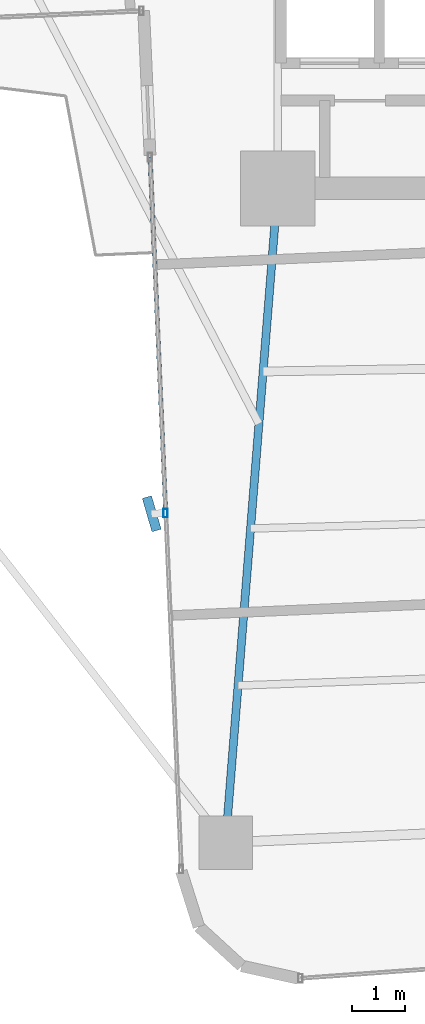
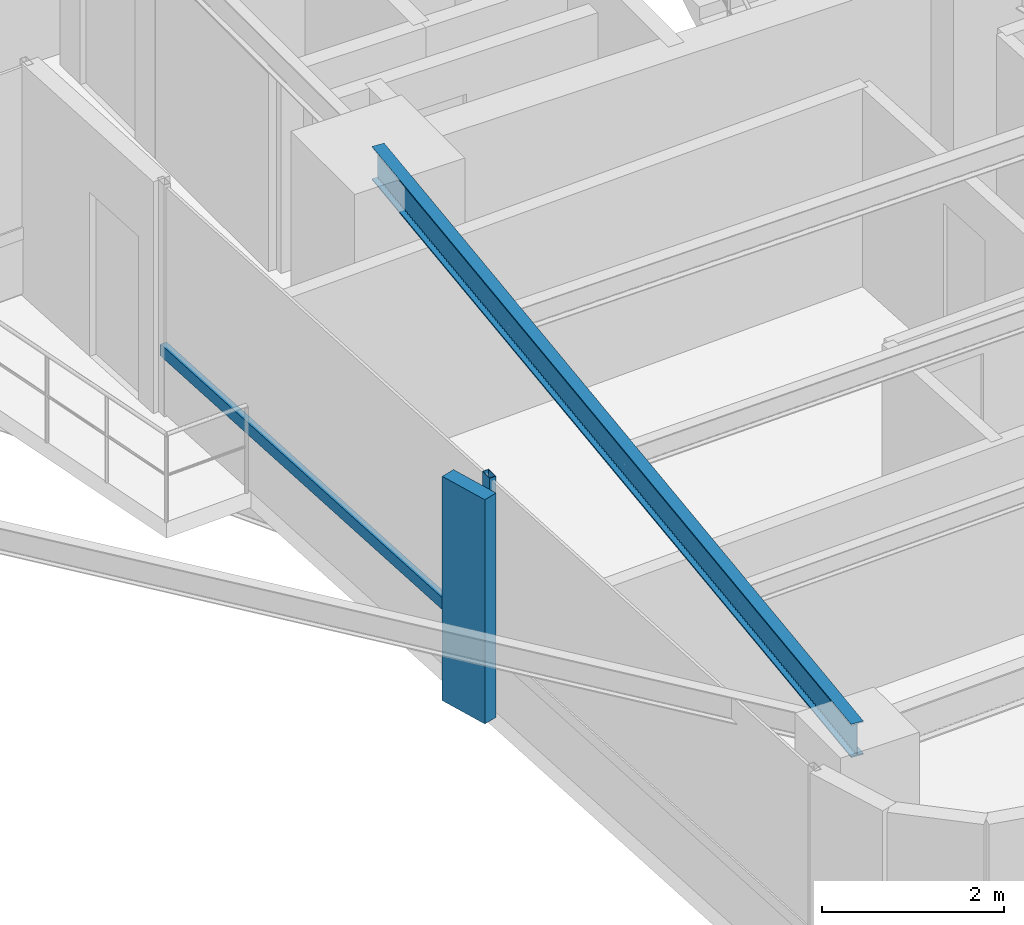
# One storey, part 4 of 26: 3 members, 1 beam, 1 element without a shape of its own.
"""IFC4 building model written with IfcOpenShell, lengths in metres."""

from ifc_helpers import new_model, si_unit, direction, frame, origin, origin_2d, place, context, subcontext, project, spatial, rectangle, hollow_rectangle, i_section, extrude, source, transform, mapped, material, material_profile, profile_set, type_object, element, aggregate, save


model = new_model("IFC4")

# Units and contexts
model_context = context("Model", 3, precision=1e-05, world=origin(), true_north=direction((0.0, 1.0)))
body_context = subcontext(model_context, "Body", "Model", "MODEL_VIEW")
ifc_project = project(units=[si_unit("LENGTHUNIT", "METRE"), si_unit("AREAUNIT", "SQUARE_METRE"), si_unit("VOLUMEUNIT", "CUBIC_METRE"), si_unit("PLANEANGLEUNIT", "RADIAN"), si_unit("MASSUNIT", "GRAM", prefix="KILO")], contexts=[model_context])

# Site, building, storey
site_placement = place(None, origin())
site = spatial("IfcSite", under=ifc_project, at=site_placement, CompositionType="ELEMENT")
building_placement = place(site_placement, origin())
building = spatial("IfcBuilding", under=site, at=building_placement, Name="Sahyath Konkavel Grand Hotel", CompositionType="ELEMENT")
storey_placement = place(building_placement, frame((0.0, 0.0, 96.89990234375)))
storey = spatial("IfcBuildingStorey", under=building, at=storey_placement, Name="L26", CompositionType="ELEMENT", Elevation=96.89990234375)

# Beam
ifc_material_1 = material(Name="Steel E350", Category="steel")
ifc_material_profile_1 = material_profile(ifc_material_1, i_section(OverallWidth=0.14990234375, OverallDepth=0.449951171875, WebThickness=0.009521484375, FlangeThickness=0.017333984375, FilletRadius=0.014892578125, at=origin_2d()), Name="ISMB 450")
ifc_profile_set_1 = profile_set([ifc_material_profile_1], Name="Steel E350")
beam_type = type_object("IfcBeamType", Name="BM-ISMB450", PredefinedType="BEAM", material=ifc_profile_set_1)
shared_shape_1 = source(origin(), body_context, "Body", "SweptSolid", [
    extrude(i_section(OverallWidth=0.14990234375, OverallDepth=0.449951171875, WebThickness=0.009521484375, FlangeThickness=0.017333984375, FilletRadius=0.014892578125, at=origin_2d()), origin(), (0.0, 0.0, 1.0), 12.2685546875),
])
beam_placement = place(storey_placement, frame((-3.800048828125, -10.199951171875, 2.885009765625), z_axis=(-0.079558563357, -0.996830193662, 0.0), x_axis=(0.996830193662, -0.079558563357, 0.0)))
element("IfcBeam", 1, at=beam_placement, inside=storey, type_object=beam_type, Name="L26 Cruciform Radial Girder SA", PredefinedType="BEAM", context=body_context, shape_type="MappedRepresentation", body=[
    mapped(shared_shape_1, transform((0.0, 0.0, 0.0), scale=1.0)),
])

# Curtain wall, members
ifc_material_2 = material(Name="Anodised Bronze Aluminium & Low-E Glazing", Category="aluminium")
curtain_wall_type = type_object("IfcCurtainWallType", Name="CW-ZONE2", PredefinedType="NOTDEFINED", material=ifc_material_2)
curtain_wall_placement = place(storey_placement, origin())
curtain_wall = element("IfcCurtainWall", 2, at=curtain_wall_placement, inside=storey, type_object=curtain_wall_type, Name="L26 Unitised Curtain Wall F24", PredefinedType="NOTDEFINED")
ifc_material_3 = material(Name="Warm Buff Sandstone Cladding on Concrete C50/60", Category="masonry")
ifc_material_profile_2 = material_profile(ifc_material_3, rectangle(XDim=0.179931640625, YDim=0.64990234375, at=origin_2d()), Name="FIN 180x650")
ifc_profile_set_2 = profile_set([ifc_material_profile_2], Name="Warm Buff Sandstone Cladding on Concrete C50/60")
member_type_1 = type_object("IfcMemberType", Name="FIN-SANDSTONE-650", PredefinedType="MULLION", material=ifc_profile_set_2)
shared_shape_2 = source(origin(), body_context, "Body", "SweptSolid", [
    extrude(rectangle(XDim=0.179931640625, YDim=0.64990234375, at=origin_2d()), origin(), (0.0, 0.0, 1.0), 3.010009765625),
])
member_1_placement = place(storey_placement, frame((-6.155517578125, -16.283935546875, 0.050048828125), z_axis=(0.0, 0.0, 1.0), x_axis=(0.960488224179, 0.278320626641, 0.0)))
member_1 = element("IfcMember", 3, at=member_1_placement, type_object=member_type_1, Name="L26 Sandstone Vertical Solar Fin FIN F24-1", PredefinedType="MULLION", context=body_context, shape_type="MappedRepresentation", body=[
    mapped(shared_shape_2, transform((0.0, 0.0, 0.0), scale=1.0)),
])
ifc_material_4 = material(Name="Anodised Bronze Aluminium", Category="aluminium")
ifc_material_profile_3 = material_profile(ifc_material_4, hollow_rectangle(XDim=0.080078125, YDim=0.159912109375, WallThickness=0.006103515625, at=origin_2d()), Name="RHS 160x80x6")
ifc_profile_set_3 = profile_set([ifc_material_profile_3], Name="Anodised Bronze Aluminium")
member_type_2 = type_object("IfcMemberType", Name="CW-MUL-160", PredefinedType="MULLION", material=ifc_profile_set_3)
shared_shape_3 = source(origin(), body_context, "Body", "SweptSolid", [
    extrude(hollow_rectangle(XDim=0.080078125, YDim=0.159912109375, WallThickness=0.006103515625, at=origin_2d()), origin(), (0.0, 0.0, 1.0), 3.110107421875),
])
member_2_placement = place(storey_placement, frame((-5.895751953125, -16.272705078125, 0.0), z_axis=(0.0, 0.0, 1.0), x_axis=(1.0, 0.0, 0.0)))
member_2 = element("IfcMember", 4, at=member_2_placement, type_object=member_type_2, Name="L26 Curtain Wall Mullion F24-1", PredefinedType="MULLION", context=body_context, shape_type="MappedRepresentation", body=[
    mapped(shared_shape_3, transform((0.0, 0.0, 0.0), scale=1.0)),
])
ifc_material_profile_4 = material_profile(ifc_material_4, hollow_rectangle(XDim=0.080078125, YDim=0.159912109375, WallThickness=0.006103515625, at=origin_2d()), Name="RHS 160x80x6")
ifc_profile_set_4 = profile_set([ifc_material_profile_4], Name="Anodised Bronze Aluminium")
member_type_3 = type_object("IfcMemberType", Name="CW-TRN-160", PredefinedType="USERDEFINED", material=ifc_profile_set_4)
shared_shape_4 = source(origin(), body_context, "Body", "SweptSolid", [
    extrude(hollow_rectangle(XDim=0.080078125, YDim=0.159912109375, WallThickness=0.006103515625, at=origin_2d()), origin(), (0.0, 0.0, 1.0), 6.66015625),
])
member_3_placement = place(storey_placement, frame((-6.186279296875, -9.618896484375, 0.85009765625), z_axis=(0.043621753165, -0.999048118286, 0.0), x_axis=(0.999048118286, 0.043621753165, 0.0)))
member_3 = element("IfcMember", 5, at=member_3_placement, type_object=member_type_3, Name="L26 Curtain Wall Transom F24-0-spandrel", ObjectType="TRANSOM", PredefinedType="USERDEFINED", context=body_context, shape_type="MappedRepresentation", body=[
    mapped(shared_shape_4, transform((0.0, 0.0, 0.0), scale=1.0)),
])
aggregate(curtain_wall, [member_2, member_1, member_3])

save(model, "model.ifc")
